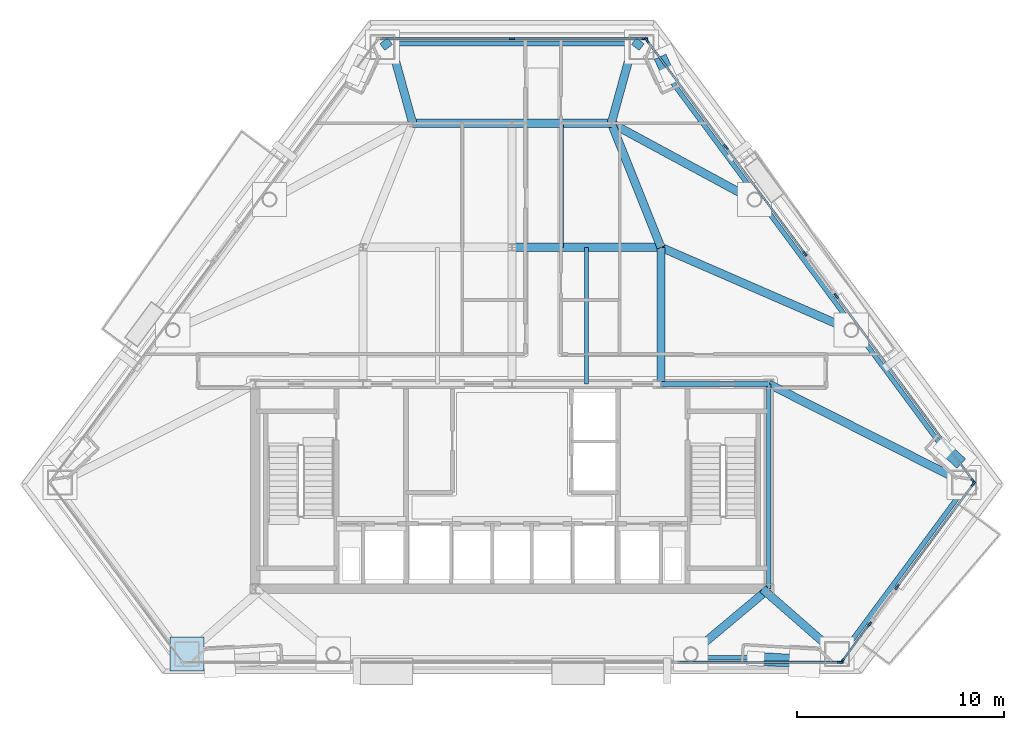
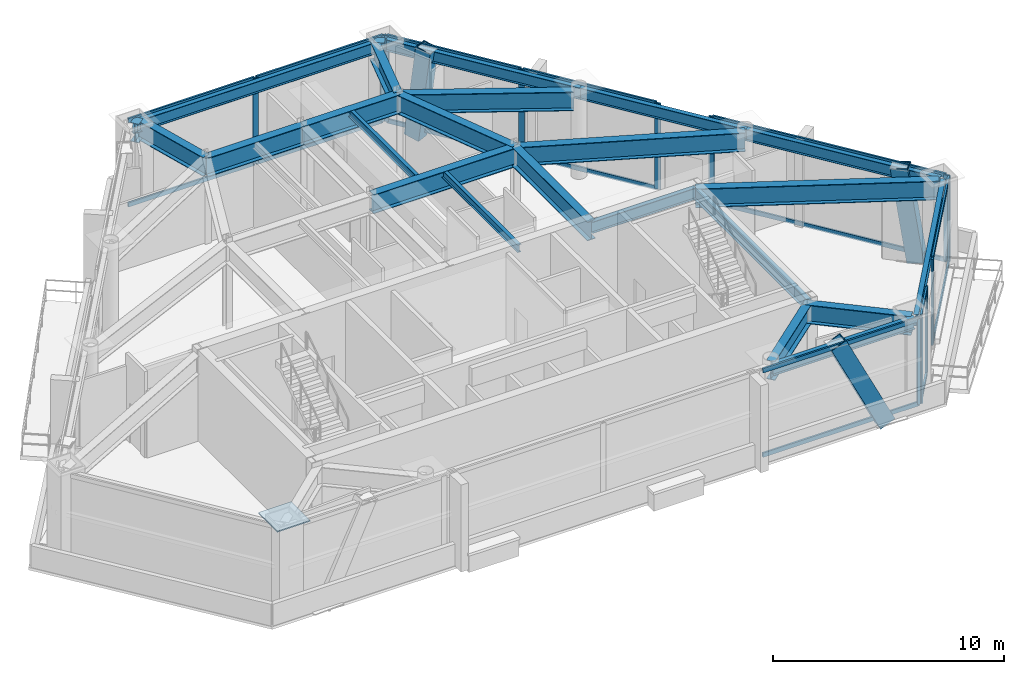
# One storey, part 3 of 9: 31 members, 24 beams, 1 plate, 6 elements without a shape of their own.
"""IFC4 building model written with IfcOpenShell, lengths in metres."""

from ifc_helpers import new_model, si_unit, direction, frame, origin, origin_2d, place, context, subcontext, project, spatial, rectangle, hollow_rectangle, i_section, extrude, material, layer, layer_set, material_profile, profile_set, type_object, element, aggregate, save


model = new_model("IFC4")

# Units and contexts
model_context = context("Model", 3, precision=1e-05, world=origin(), true_north=direction((0.0, 1.0)))
body_context = subcontext(model_context, "Body", "Model", "MODEL_VIEW")
ifc_project = project(units=[si_unit("LENGTHUNIT", "METRE"), si_unit("AREAUNIT", "SQUARE_METRE"), si_unit("VOLUMEUNIT", "CUBIC_METRE"), si_unit("PLANEANGLEUNIT", "RADIAN"), si_unit("MASSUNIT", "GRAM", prefix="KILO")], contexts=[model_context])

# Site, building, storey
site_placement = place(None, origin())
site = spatial("IfcSite", under=ifc_project, at=site_placement, CompositionType="ELEMENT")
building_placement = place(site_placement, origin())
building = spatial("IfcBuilding", under=site, at=building_placement, Name="Talgorran Terracotta Tower", CompositionType="ELEMENT")
storey_placement = place(building_placement, frame((0.0, 0.0, 94.800048828125)))
storey = spatial("IfcBuildingStorey", under=building, at=storey_placement, Name="L24", CompositionType="ELEMENT", Elevation=94.800048828125)

# Beams
ifc_material_1 = material(Name="Steel Grade 350 (350L0)", Category="steel")
ifc_material_profile_1 = material_profile(ifc_material_1, i_section(OverallWidth=0.39990234375, OverallDepth=1.0, WebThickness=0.01611328125, FlangeThickness=0.031005859375, at=origin_2d()), Name="1000WB296")
ifc_profile_set_1 = profile_set([ifc_material_profile_1], Name="Steel Grade 350 (350L0)")
beam_type_1 = type_object("IfcBeamType", Name="BM_1000WB296", PredefinedType="BEAM", material=ifc_profile_set_1)
beam_1_placement = place(storey_placement, frame((12.39990234375, -14.10009765625, 4.050048828125), z_axis=(-0.766584003148, -0.642144038451, 0.0), x_axis=(0.642144038451, -0.766584003148, 0.0)))
element("IfcBeam", 1, at=beam_1_placement, inside=storey, type_object=beam_type_1, Name="L24 South-East Core Tie Beam", PredefinedType="BEAM", context=body_context, shape_type="SweptSolid", body=[
    extrude(i_section(OverallWidth=0.39990234375, OverallDepth=1.0, WebThickness=0.01611328125, FlangeThickness=0.031005859375, at=origin_2d()), origin(), (0.0, 0.0, 1.0), 4.90869140625),
])
beam_2_placement = place(storey_placement, frame((15.70361328125, -17.252197265625, 4.050048828125), z_axis=(-0.752677772141, 0.658389072908, 0.0), x_axis=(-0.658389072908, -0.752677772141, 0.0)))
element("IfcBeam", 2, at=beam_2_placement, inside=storey, type_object=beam_type_1, Name="L24 Perimeter Step Girder 5", PredefinedType="BEAM", context=body_context, shape_type="SweptSolid", body=[
    extrude(i_section(OverallWidth=0.39990234375, OverallDepth=1.0, WebThickness=0.01611328125, FlangeThickness=0.031005859375, at=origin_2d()), origin(), (0.0, 0.0, 1.0), 4.78759765625),
])
beam_3_placement = place(storey_placement, frame((6.263671875, 12.074951171875, 4.050048828125), z_axis=(-0.792797208664, 0.609485509208, 0.0), x_axis=(-0.609485509208, -0.792797208664, 0.0)))
element("IfcBeam", 3, at=beam_3_placement, inside=storey, type_object=beam_type_1, Name="L24 Perimeter Step Girder 9A", PredefinedType="BEAM", context=body_context, shape_type="SweptSolid", body=[
    extrude(i_section(OverallWidth=0.39990234375, OverallDepth=1.0, WebThickness=0.01611328125, FlangeThickness=0.031005859375, at=origin_2d()), origin(), (0.0, 0.0, 1.0), 0.471435546875),
])
beam_4_placement = place(storey_placement, frame((5.889892578125, 12.3623046875, 4.050048828125), z_axis=(-0.265197906228, -0.964194000465, 0.0), x_axis=(0.964194000465, -0.265197906228, 0.0)))
element("IfcBeam", 4, at=beam_4_placement, inside=storey, type_object=beam_type_1, Name="L24 Perimeter Step Girder 9B", PredefinedType="BEAM", context=body_context, shape_type="SweptSolid", body=[
    extrude(i_section(OverallWidth=0.39990234375, OverallDepth=1.0, WebThickness=0.01611328125, FlangeThickness=0.031005859375, at=origin_2d()), origin(), (0.0, 0.0, 1.0), 4.109619140625),
])
beam_5_placement = place(storey_placement, frame((-6.263671875, 12.074951171875, 4.050048828125), z_axis=(0.792797208664, 0.609485509208, 0.0), x_axis=(-0.609485509208, 0.792797208664, 0.0)))
element("IfcBeam", 5, at=beam_5_placement, inside=storey, type_object=beam_type_1, Name="L24 Perimeter Step Girder 10A", PredefinedType="BEAM", context=body_context, shape_type="SweptSolid", body=[
    extrude(i_section(OverallWidth=0.39990234375, OverallDepth=1.0, WebThickness=0.01611328125, FlangeThickness=0.031005859375, at=origin_2d()), origin(), (0.0, 0.0, 1.0), 0.471435546875),
])
beam_6_placement = place(storey_placement, frame((-5.889892578125, 12.3623046875, 4.050048828125), z_axis=(0.265197906228, -0.964194000465, 0.0), x_axis=(0.964194000465, 0.265197906228, 0.0)))
element("IfcBeam", 6, at=beam_6_placement, inside=storey, type_object=beam_type_1, Name="L24 Perimeter Step Girder 10B", PredefinedType="BEAM", context=body_context, shape_type="SweptSolid", body=[
    extrude(i_section(OverallWidth=0.39990234375, OverallDepth=1.0, WebThickness=0.01611328125, FlangeThickness=0.031005859375, at=origin_2d()), origin(), (0.0, 0.0, 1.0), 4.109619140625),
])
beam_7_placement = place(storey_placement, frame((7.199951171875, -4.199951171875, 4.050048828125), z_axis=(0.0, 1.0, 0.0), x_axis=(-1.0, 0.0, 0.0)))
element("IfcBeam", 7, at=beam_7_placement, inside=storey, type_object=beam_type_1, Name="L24 Floor Girder G03", PredefinedType="BEAM", context=body_context, shape_type="SweptSolid", body=[
    extrude(i_section(OverallWidth=0.39990234375, OverallDepth=1.0, WebThickness=0.01611328125, FlangeThickness=0.031005859375, at=origin_2d()), origin(), (0.0, 0.0, 1.0), 6.599853515625),
])
beam_8_placement = place(storey_placement, frame((0.0, 2.39990234375, 4.050048828125), z_axis=(1.0, 0.0, 0.0), x_axis=(0.0, 1.0, 0.0)))
element("IfcBeam", 8, at=beam_8_placement, inside=storey, type_object=beam_type_1, Name="L24 Floor Girder G05", PredefinedType="BEAM", context=body_context, shape_type="SweptSolid", body=[
    extrude(i_section(OverallWidth=0.39990234375, OverallDepth=1.0, WebThickness=0.01611328125, FlangeThickness=0.031005859375, at=origin_2d()), origin(), (0.0, 0.0, 1.0), 7.199951171875),
])
beam_9_placement = place(storey_placement, frame((7.199951171875, 2.39990234375, 4.050048828125), z_axis=(0.916970505707, -0.398954999548, 0.0), x_axis=(0.398954999548, 0.916970505707, 0.0)))
element("IfcBeam", 9, at=beam_9_placement, inside=storey, type_object=beam_type_1, Name="L24 Floor Girder G07", PredefinedType="BEAM", context=body_context, shape_type="SweptSolid", body=[
    extrude(i_section(OverallWidth=0.39990234375, OverallDepth=1.0, WebThickness=0.01611328125, FlangeThickness=0.031005859375, at=origin_2d()), origin(), (0.0, 0.0, 1.0), 10.023193359375),
])
beam_10_placement = place(storey_placement, frame((7.199951171875, 2.39990234375, 4.050048828125), z_axis=(-0.371377648723, 0.928481901832, 0.0), x_axis=(-0.928481901832, -0.371377648723, 0.0)))
element("IfcBeam", 10, at=beam_10_placement, inside=storey, type_object=beam_type_1, Name="L24 Floor Girder G10", PredefinedType="BEAM", context=body_context, shape_type="SweptSolid", body=[
    extrude(i_section(OverallWidth=0.39990234375, OverallDepth=1.0, WebThickness=0.01611328125, FlangeThickness=0.031005859375, at=origin_2d()), origin(), (0.0, 0.0, 1.0), 6.462158203125),
])
for number, where, z_axis, x_axis, name in (
    (11, (-4.800048828125, 8.39990234375, 4.050048828125), (1.0, 0.0, 0.0), (0.0, 1.0, 0.0), "L24 Floor Girder G11"),
    (12, (0.0, 8.39990234375, 4.050048828125), (1.0, 0.0, 0.0), (0.0, 1.0, 0.0), "L24 Floor Girder G12"),
):
    element("IfcBeam", number, at=place(storey_placement, frame(where, z_axis=z_axis, x_axis=x_axis)), inside=storey, type_object=beam_type_1, Name=name, PredefinedType="BEAM", context=body_context, shape_type="SweptSolid", body=[
        extrude(i_section(OverallWidth=0.39990234375, OverallDepth=1.0, WebThickness=0.01611328125, FlangeThickness=0.031005859375, at=origin_2d()), origin(), (0.0, 0.0, 1.0), 4.800048828125),
    ])
beam_11_placement = place(storey_placement, frame((4.800048828125, 8.39990234375, 4.050048828125), z_axis=(0.879686234895, -0.475554548013, 0.0), x_axis=(0.475554548013, 0.879686234895, 0.0)))
element("IfcBeam", 13, at=beam_11_placement, inside=storey, type_object=beam_type_1, Name="L24 Floor Girder G14", PredefinedType="BEAM", context=body_context, shape_type="SweptSolid", body=[
    extrude(i_section(OverallWidth=0.39990234375, OverallDepth=1.0, WebThickness=0.01611328125, FlangeThickness=0.031005859375, at=origin_2d()), origin(), (0.0, 0.0, 1.0), 7.62255859375),
])
beam_12_placement = place(storey_placement, frame((12.39990234375, -4.199951171875, 4.050048828125), z_axis=(0.892931038068, -0.450193470916, 0.0), x_axis=(0.450193470916, 0.892931038068, 0.0)))
element("IfcBeam", 14, at=beam_12_placement, inside=storey, type_object=beam_type_1, Name="L24 Floor Girder G18", PredefinedType="BEAM", context=body_context, shape_type="SweptSolid", body=[
    extrude(i_section(OverallWidth=0.39990234375, OverallDepth=1.0, WebThickness=0.01611328125, FlangeThickness=0.031005859375, at=origin_2d()), origin(), (0.0, 0.0, 1.0), 10.576416015625),
])
ifc_material_2 = material(Name="Steel S355 (300PLUS)", Category="steel")
ifc_material_profile_2 = material_profile(ifc_material_2, i_section(OverallWidth=0.177734375, OverallDepth=0.406494140625, WebThickness=0.0078125, FlangeThickness=0.0126953125, at=origin_2d()), Name="410UB59.7")
ifc_profile_set_2 = profile_set([ifc_material_profile_2], Name="Steel S355 (300PLUS)")
beam_type_2 = type_object("IfcBeamType", Name="BM_JS_410UB60", PredefinedType="JOIST", material=ifc_profile_set_2)
beam_13_placement = place(storey_placement, frame((3.60009765625, -4.199951171875, 4.3466796875), z_axis=(0.0, 1.0, 0.0), x_axis=(-1.0, 0.0, 0.0)))
element("IfcBeam", 15, at=beam_13_placement, inside=storey, type_object=beam_type_2, Name="L24 Secondary Joist J02", PredefinedType="JOIST", context=body_context, shape_type="SweptSolid", body=[
    extrude(i_section(OverallWidth=0.177734375, OverallDepth=0.406494140625, WebThickness=0.0078125, FlangeThickness=0.0126953125, at=origin_2d()), origin(), (0.0, 0.0, 1.0), 6.599853515625),
])
beam_14_placement = place(storey_placement, frame((2.39990234375, 2.39990234375, 4.3466796875), z_axis=(0.0, 1.0, 0.0), x_axis=(-1.0, 0.0, 0.0)))
element("IfcBeam", 16, at=beam_14_placement, inside=storey, type_object=beam_type_2, Name="L24 Secondary Joist J04", PredefinedType="JOIST", context=body_context, shape_type="SweptSolid", body=[
    extrude(i_section(OverallWidth=0.177734375, OverallDepth=0.406494140625, WebThickness=0.0078125, FlangeThickness=0.0126953125, at=origin_2d()), origin(), (0.0, 0.0, 1.0), 6.0),
])
ifc_material_profile_3 = material_profile(ifc_material_2, i_section(OverallWidth=0.22900390625, OverallDepth=0.611572265625, WebThickness=0.011962890625, FlangeThickness=0.01953125, at=origin_2d()), Name="610UB125")
ifc_profile_set_3 = profile_set([ifc_material_profile_3], Name="Steel S355 (300PLUS)")
beam_type_3 = type_object("IfcBeamType", Name="BM_SP_610UB125", PredefinedType="SPANDREL", material=ifc_profile_set_3)
beam_15_placement = place(storey_placement, frame((8.636962890625, -17.43212890625, 4.244140625), z_axis=(1.0, 0.0, 0.0), x_axis=(0.0, 1.0, 0.0)))
element("IfcBeam", 17, at=beam_15_placement, inside=storey, type_object=beam_type_3, Name="L24 Perimeter Spandrel Beam FC2-MC3", PredefinedType="SPANDREL", context=body_context, shape_type="SweptSolid", body=[
    extrude(i_section(OverallWidth=0.22900390625, OverallDepth=0.611572265625, WebThickness=0.011962890625, FlangeThickness=0.01953125, at=origin_2d()), origin(), (0.0, 0.0, 1.0), 7.066650390625),
])
beam_16_placement = place(storey_placement, frame((15.84814453125, -17.359375, 4.244140625), z_axis=(0.595169259298, 0.803600368832, 0.0), x_axis=(-0.803600368832, 0.595169259298, 0.0)))
element("IfcBeam", 18, at=beam_16_placement, inside=storey, type_object=beam_type_3, Name="L24 Perimeter Spandrel Beam MC3-MC4", PredefinedType="SPANDREL", context=body_context, shape_type="SweptSolid", body=[
    extrude(i_section(OverallWidth=0.22900390625, OverallDepth=0.611572265625, WebThickness=0.011962890625, FlangeThickness=0.01953125, at=origin_2d()), origin(), (0.0, 0.0, 1.0), 10.317138671875),
])
beam_17_placement = place(storey_placement, frame((21.988525390625, -8.8544921875, 4.244140625), z_axis=(-0.595171471605, 0.80359873033, 0.0), x_axis=(-0.80359873033, -0.595171471605, 0.0)))
element("IfcBeam", 19, at=beam_17_placement, inside=storey, type_object=beam_type_3, Name="L24 Perimeter Spandrel Beam MC4-FC3", PredefinedType="SPANDREL", context=body_context, shape_type="SweptSolid", body=[
    extrude(i_section(OverallWidth=0.22900390625, OverallDepth=0.611572265625, WebThickness=0.011962890625, FlangeThickness=0.01953125, at=origin_2d()), origin(), (0.0, 0.0, 1.0), 9.162353515625),
])
beam_18_placement = place(storey_placement, frame((16.535400390625, -1.49169921875, 4.244140625), z_axis=(-0.595164355593, 0.803604000632, 0.0), x_axis=(-0.803604000632, -0.595164355593, 0.0)))
element("IfcBeam", 20, at=beam_18_placement, inside=storey, type_object=beam_type_3, Name="L24 Perimeter Spandrel Beam FC3-FC4", PredefinedType="SPANDREL", context=body_context, shape_type="SweptSolid", body=[
    extrude(i_section(OverallWidth=0.22900390625, OverallDepth=0.611572265625, WebThickness=0.011962890625, FlangeThickness=0.01953125, at=origin_2d()), origin(), (0.0, 0.0, 1.0), 7.853515625),
])
beam_19_placement = place(storey_placement, frame((11.861328125, 4.8193359375, 4.244140625), z_axis=(-0.595184216163, 0.803589291137, 0.0), x_axis=(-0.803589291137, -0.595184216163, 0.0)))
element("IfcBeam", 21, at=beam_19_placement, inside=storey, type_object=beam_type_3, Name="L24 Perimeter Spandrel Beam FC4-MC5", PredefinedType="SPANDREL", context=body_context, shape_type="SweptSolid", body=[
    extrude(i_section(OverallWidth=0.22900390625, OverallDepth=0.611572265625, WebThickness=0.011962890625, FlangeThickness=0.01953125, at=origin_2d()), origin(), (0.0, 0.0, 1.0), 9.162109375),
])
beam_20_placement = place(storey_placement, frame((6.263671875, 12.2548828125, 4.244140625), z_axis=(-1.0, 0.0, 0.0), x_axis=(0.0, -1.0, 0.0)))
element("IfcBeam", 22, at=beam_20_placement, inside=storey, type_object=beam_type_3, Name="L24 Perimeter Spandrel Beam MC5-MC6", PredefinedType="SPANDREL", context=body_context, shape_type="SweptSolid", body=[
    extrude(i_section(OverallWidth=0.22900390625, OverallDepth=0.611572265625, WebThickness=0.011962890625, FlangeThickness=0.01953125, at=origin_2d()), origin(), (0.0, 0.0, 1.0), 12.52734375),
])
beam_21_placement = place(storey_placement, frame((12.39990234375, -14.10009765625, 4.244140625), z_axis=(0.0, 1.0, 0.0), x_axis=(-1.0, 0.0, 0.0)))
element("IfcBeam", 23, at=beam_21_placement, inside=storey, type_object=beam_type_3, Name="L24 Core Frame Beam CFE", PredefinedType="SPANDREL", context=body_context, shape_type="SweptSolid", body=[
    extrude(i_section(OverallWidth=0.22900390625, OverallDepth=0.611572265625, WebThickness=0.011962890625, FlangeThickness=0.01953125, at=origin_2d()), origin(), (0.0, 0.0, 1.0), 9.900146484375),
])
beam_22_placement = place(storey_placement, frame((7.199951171875, -4.199951171875, 4.244140625), z_axis=(1.0, 0.0, 0.0), x_axis=(0.0, 1.0, 0.0)))
element("IfcBeam", 24, at=beam_22_placement, inside=storey, type_object=beam_type_3, Name="L24 Core Frame Beam CFN4", PredefinedType="SPANDREL", context=body_context, shape_type="SweptSolid", body=[
    extrude(i_section(OverallWidth=0.22900390625, OverallDepth=0.611572265625, WebThickness=0.011962890625, FlangeThickness=0.01953125, at=origin_2d()), origin(), (0.0, 0.0, 1.0), 5.199951171875),
])

# Members
ifc_material_profile_4 = material_profile(ifc_material_1, hollow_rectangle(XDim=0.6201171875, YDim=0.780029296875, WallThickness=0.0419921875, at=origin_2d()), Name="WBOX780X620X42")
ifc_profile_set_4 = profile_set([ifc_material_profile_4], Name="Steel Grade 350 (350L0)")
member_type_1 = type_object("IfcMemberType", Name="MB_MEGA_780", PredefinedType="BRACE", material=ifc_profile_set_4)
member_1_placement = place(storey_placement, frame((14.1376953125, -17.6123046875, -0.300048828125), z_axis=(-0.436575822921, 0.026661118957, 0.899272336713), x_axis=(-0.060955145421, -0.998140506265, 0.0)))
element("IfcMember", 25, at=member_1_placement, inside=storey, type_object=member_type_1, Name="L24 Exterior Face Mega-Brace MB-2 (SEF)", PredefinedType="BRACE", context=body_context, shape_type="SweptSolid", body=[
    extrude(hollow_rectangle(XDim=0.6201171875, YDim=0.780029296875, WallThickness=0.0419921875, at=origin_2d()), origin(), (0.0, 0.0, 1.0), 5.421142578125),
])
member_2_placement = place(storey_placement, frame((21.42041015625, -7.78466796875, -0.300048828125), z_axis=(-0.109299082594, 0.100731460805, 0.98889174501), x_axis=(-0.677698679324, -0.735339717438, 0.0)))
element("IfcMember", 26, at=member_2_placement, inside=storey, type_object=member_type_1, Name="L24 Exterior Face Mega-Brace MB-2 (NEL)", PredefinedType="BRACE", context=body_context, shape_type="SweptSolid", body=[
    extrude(hollow_rectangle(XDim=0.6201171875, YDim=0.780029296875, WallThickness=0.0419921875, at=origin_2d()), origin(), (0.0, 0.0, 1.0), 4.9296875),
])
member_3_placement = place(storey_placement, frame((7.316650390625, 11.258056640625, -0.300048828125), z_axis=(0.051967048146, -0.114665341416, 0.992043993674), x_axis=(0.910825426635, 0.412791766144, 0.0)))
element("IfcMember", 27, at=member_3_placement, inside=storey, type_object=member_type_1, Name="L24 Exterior Face Mega-Brace MB-2 (NEU)", PredefinedType="BRACE", context=body_context, shape_type="SweptSolid", body=[
    extrude(hollow_rectangle(XDim=0.6201171875, YDim=0.780029296875, WallThickness=0.0419921875, at=origin_2d()), origin(), (0.0, 0.0, 1.0), 4.9140625),
])

# Curtain wall, member
ifc_material_3 = material(Name="Structural Laminated Low-Iron")
ifc_layer_1 = layer(ifc_material_3, 0.239990234375, Name="CW_SYS5_SKY_OBS")
ifc_layer_set_1 = layer_set([ifc_layer_1], Name="Structural Laminated Low-Iron")
curtain_wall_type = type_object("IfcCurtainWallType", Name="CW_SYS5_SKY_OBS", PredefinedType="NOTDEFINED", material=ifc_layer_set_1)
curtain_wall_1_placement = place(storey_placement, origin())
curtain_wall_1 = element("IfcCurtainWall", 28, at=curtain_wall_1_placement, inside=storey, type_object=curtain_wall_type, Name="CW-L24-F1", PredefinedType="NOTDEFINED")
ifc_material_4 = material(Name="Architectural Aluminium 6063-T6", Category="aluminium")
ifc_material_profile_5 = material_profile(ifc_material_4, rectangle(XDim=0.090087890625, YDim=0.280029296875, at=origin_2d()), Name="CWM90X280")
ifc_profile_set_5 = profile_set([ifc_material_profile_5], Name="Architectural Aluminium 6063-T6")
member_type_2 = type_object("IfcMemberType", Name="MUL_90X280", PredefinedType="MULLION", material=ifc_profile_set_5)
member_4_placement = place(storey_placement, frame((15.860107421875, -17.652099609375, 0.0), z_axis=(0.0, 0.0, 1.0), x_axis=(0.0, 1.0, 0.0)))
member_4 = element("IfcMember", 29, at=member_4_placement, type_object=member_type_2, Name="CW-L24-1 mullion 5", PredefinedType="MULLION", context=body_context, shape_type="SweptSolid", body=[
    extrude(rectangle(XDim=0.090087890625, YDim=0.280029296875, at=origin_2d()), origin(), (0.0, 0.0, 1.0), 4.550048828125),
])

# Curtain wall, members
curtain_wall_2_placement = place(storey_placement, origin())
curtain_wall_2 = element("IfcCurtainWall", 30, at=curtain_wall_2_placement, inside=storey, type_object=curtain_wall_type, Name="CW-L24-F30", PredefinedType="NOTDEFINED")
member_5_placement = place(storey_placement, frame((15.95556640625, -17.583984375, 0.0), z_axis=(0.0, 0.0, 1.0), x_axis=(-0.803604490595, 0.595163694034, 0.0)))
member_5 = element("IfcMember", 31, at=member_5_placement, type_object=member_type_2, Name="CW-L24-30 mullion 1", PredefinedType="MULLION", context=body_context, shape_type="SweptSolid", body=[
    extrude(rectangle(XDim=0.090087890625, YDim=0.280029296875, at=origin_2d()), origin(), (0.0, 0.0, 1.0), 4.550048828125),
])
member_6_placement = place(storey_placement, frame((17.26171875, -15.8203125, 0.0), z_axis=(0.0, 0.0, 1.0), x_axis=(-0.803604490595, 0.595163694034, 0.0)))
member_6 = element("IfcMember", 32, at=member_6_placement, type_object=member_type_2, Name="CW-L24-30 mullion 2", PredefinedType="MULLION", context=body_context, shape_type="SweptSolid", body=[
    extrude(rectangle(XDim=0.090087890625, YDim=0.280029296875, at=origin_2d()), origin(), (0.0, 0.0, 1.0), 4.550048828125),
])

curtain_wall_3_placement = place(storey_placement, origin())
curtain_wall_3 = element("IfcCurtainWall", 33, at=curtain_wall_3_placement, inside=storey, type_object=curtain_wall_type, Name="CW-L24-F31", PredefinedType="NOTDEFINED")
member_7_placement = place(storey_placement, frame((18.60107421875, -14.012451171875, 0.0), z_axis=(0.0, 0.0, 1.0), x_axis=(-0.803600560712, 0.595169000221, 0.0)))
member_7 = element("IfcMember", 34, at=member_7_placement, type_object=member_type_2, Name="CW-L24-31 mullion 1", PredefinedType="MULLION", context=body_context, shape_type="SweptSolid", body=[
    extrude(rectangle(XDim=0.090087890625, YDim=0.280029296875, at=origin_2d()), origin(), (0.0, 0.0, 1.0), 4.550048828125),
])
member_8_placement = place(storey_placement, frame((22.291259765625, -9.02978515625, 0.0), z_axis=(0.0, 0.0, 1.0), x_axis=(-0.803600560712, 0.595169000221, 0.0)))
member_8 = element("IfcMember", 35, at=member_8_placement, type_object=member_type_2, Name="CW-L24-31 mullion 2", PredefinedType="MULLION", context=body_context, shape_type="SweptSolid", body=[
    extrude(rectangle(XDim=0.090087890625, YDim=0.280029296875, at=origin_2d()), origin(), (0.0, 0.0, 1.0), 4.550048828125),
])

curtain_wall_4_placement = place(storey_placement, origin())
curtain_wall_4 = element("IfcCurtainWall", 36, at=curtain_wall_4_placement, inside=storey, type_object=curtain_wall_type, Name="CW-L24-F40", PredefinedType="NOTDEFINED")
member_9_placement = place(storey_placement, frame((22.291259765625, -8.893310546875, 0.0), z_axis=(0.0, 0.0, 1.0), x_axis=(-0.803596679917, -0.595174240056, 0.0)))
member_9 = element("IfcMember", 37, at=member_9_placement, type_object=member_type_2, Name="CW-L24-40 mullion 1", PredefinedType="MULLION", context=body_context, shape_type="SweptSolid", body=[
    extrude(rectangle(XDim=0.090087890625, YDim=0.280029296875, at=origin_2d()), origin(), (0.0, 0.0, 1.0), 4.550048828125),
])
member_10_placement = place(storey_placement, frame((15.669677734375, 0.046875, 0.0), z_axis=(0.0, 0.0, 1.0), x_axis=(-0.803596679917, -0.595174240056, 0.0)))
member_10 = element("IfcMember", 38, at=member_10_placement, type_object=member_type_2, Name="CW-L24-40 mullion 2", PredefinedType="MULLION", context=body_context, shape_type="SweptSolid", body=[
    extrude(rectangle(XDim=0.090087890625, YDim=0.280029296875, at=origin_2d()), origin(), (0.0, 0.0, 1.0), 4.550048828125),
])

curtain_wall_5_placement = place(storey_placement, origin())
curtain_wall_5 = element("IfcCurtainWall", 39, at=curtain_wall_5_placement, inside=storey, type_object=curtain_wall_type, Name="CW-L24-F41", PredefinedType="NOTDEFINED")
member_11_placement = place(storey_placement, frame((14.152099609375, 2.09619140625, 0.0), z_axis=(0.0, 0.0, 1.0), x_axis=(-0.803596541293, -0.595174427225, 0.0)))
member_11 = element("IfcMember", 40, at=member_11_placement, type_object=member_type_2, Name="CW-L24-41 mullion 1", PredefinedType="MULLION", context=body_context, shape_type="SweptSolid", body=[
    extrude(rectangle(XDim=0.090087890625, YDim=0.280029296875, at=origin_2d()), origin(), (0.0, 0.0, 1.0), 4.550048828125),
])
member_12_placement = place(storey_placement, frame((10.333740234375, 7.25146484375, 0.0), z_axis=(0.0, 0.0, 1.0), x_axis=(-0.803596541293, -0.595174427225, 0.0)))
member_12 = element("IfcMember", 41, at=member_12_placement, type_object=member_type_2, Name="CW-L24-41 mullion 2", PredefinedType="MULLION", context=body_context, shape_type="SweptSolid", body=[
    extrude(rectangle(XDim=0.090087890625, YDim=0.280029296875, at=origin_2d()), origin(), (0.0, 0.0, 1.0), 4.550048828125),
])
member_13_placement = place(storey_placement, frame((6.515625, 12.40673828125, 0.0), z_axis=(0.0, 0.0, 1.0), x_axis=(-0.803596541293, -0.595174427225, 0.0)))
member_13 = element("IfcMember", 42, at=member_13_placement, type_object=member_type_2, Name="CW-L24-41 mullion 3", PredefinedType="MULLION", context=body_context, shape_type="SweptSolid", body=[
    extrude(rectangle(XDim=0.090087890625, YDim=0.280029296875, at=origin_2d()), origin(), (0.0, 0.0, 1.0), 4.550048828125),
])

curtain_wall_6_placement = place(storey_placement, origin())
curtain_wall_6 = element("IfcCurtainWall", 43, at=curtain_wall_6_placement, inside=storey, type_object=curtain_wall_type, Name="CW-L24-F4", PredefinedType="NOTDEFINED")
member_14_placement = place(storey_placement, frame((6.420166015625, 12.474853515625, 0.0), z_axis=(0.0, 0.0, 1.0), x_axis=(0.0, -1.0, 0.0)))
member_14 = element("IfcMember", 44, at=member_14_placement, type_object=member_type_2, Name="CW-L24-4 mullion 1", PredefinedType="MULLION", context=body_context, shape_type="SweptSolid", body=[
    extrude(rectangle(XDim=0.090087890625, YDim=0.280029296875, at=origin_2d()), origin(), (0.0, 0.0, 1.0), 4.550048828125),
])
member_15_placement = place(storey_placement, frame((0.0, 12.474853515625, 0.0), z_axis=(0.0, 0.0, 1.0), x_axis=(0.0, -1.0, 0.0)))
member_15 = element("IfcMember", 45, at=member_15_placement, type_object=member_type_2, Name="CW-L24-4 mullion 2", PredefinedType="MULLION", context=body_context, shape_type="SweptSolid", body=[
    extrude(rectangle(XDim=0.090087890625, YDim=0.280029296875, at=origin_2d()), origin(), (0.0, 0.0, 1.0), 4.550048828125),
])

# Member
ifc_material_profile_6 = material_profile(ifc_material_4, rectangle(XDim=0.090087890625, YDim=0.22509765625, at=origin_2d()), Name="CWT90X225")
ifc_profile_set_6 = profile_set([ifc_material_profile_6], Name="Architectural Aluminium 6063-T6")
member_type_3 = type_object("IfcMemberType", Name="TRN_90X225", PredefinedType="USERDEFINED", material=ifc_profile_set_6)
member_16_placement = place(storey_placement, frame((7.99755859375, -17.652099609375, 0.044921875), z_axis=(1.0, 0.0, 0.0), x_axis=(0.0, 1.0, 0.0)))
member_16 = element("IfcMember", 46, at=member_16_placement, type_object=member_type_3, Name="CW-L24-1 transom 4.1", ObjectType="TRANSOM", PredefinedType="USERDEFINED", context=body_context, shape_type="SweptSolid", body=[
    extrude(rectangle(XDim=0.090087890625, YDim=0.22509765625, at=origin_2d()), origin(), (0.0, 0.0, 1.0), 7.817626953125),
])

member_17_placement = place(storey_placement, frame((7.99755859375, -17.652099609375, 4.5048828125), z_axis=(1.0, 0.0, 0.0), x_axis=(0.0, 1.0, 0.0)))
member_17 = element("IfcMember", 47, at=member_17_placement, type_object=member_type_3, Name="CW-L24-1 transom 4.2", ObjectType="TRANSOM", PredefinedType="USERDEFINED", context=body_context, shape_type="SweptSolid", body=[
    extrude(rectangle(XDim=0.090087890625, YDim=0.22509765625, at=origin_2d()), origin(), (0.0, 0.0, 1.0), 7.817626953125),
])

aggregate(curtain_wall_1, [member_4, member_16, member_17])

member_18_placement = place(storey_placement, frame((15.982421875, -17.5478515625, 0.044921875), z_axis=(0.59516374707, 0.803604451315, 0.0), x_axis=(-0.803604451315, 0.59516374707, 0.0)))
member_18 = element("IfcMember", 48, at=member_18_placement, type_object=member_type_3, Name="CW-L24-30 transom 1.1", ObjectType="TRANSOM", PredefinedType="USERDEFINED", context=body_context, shape_type="SweptSolid", body=[
    extrude(rectangle(XDim=0.090087890625, YDim=0.22509765625, at=origin_2d()), origin(), (0.0, 0.0, 1.0), 2.104736328125),
])

member_19_placement = place(storey_placement, frame((15.982421875, -17.5478515625, 4.5048828125), z_axis=(0.59516374707, 0.803604451315, 0.0), x_axis=(-0.803604451315, 0.59516374707, 0.0)))
member_19 = element("IfcMember", 49, at=member_19_placement, type_object=member_type_3, Name="CW-L24-30 transom 1.2", ObjectType="TRANSOM", PredefinedType="USERDEFINED", context=body_context, shape_type="SweptSolid", body=[
    extrude(rectangle(XDim=0.090087890625, YDim=0.22509765625, at=origin_2d()), origin(), (0.0, 0.0, 1.0), 2.104736328125),
])

aggregate(curtain_wall_2, [member_5, member_6, member_18, member_19])

member_20_placement = place(storey_placement, frame((18.627685546875, -13.97607421875, 0.044921875), z_axis=(0.595181683647, 0.803591166857, 0.0), x_axis=(-0.803591166857, 0.595181683647, 0.0)))
member_20 = element("IfcMember", 50, at=member_20_placement, type_object=member_type_3, Name="CW-L24-31 transom 1.1", ObjectType="TRANSOM", PredefinedType="USERDEFINED", context=body_context, shape_type="SweptSolid", body=[
    extrude(rectangle(XDim=0.090087890625, YDim=0.22509765625, at=origin_2d()), origin(), (0.0, 0.0, 1.0), 6.1103515625),
])

member_21_placement = place(storey_placement, frame((18.627685546875, -13.97607421875, 4.5048828125), z_axis=(0.595181683647, 0.803591166857, 0.0), x_axis=(-0.803591166857, 0.595181683647, 0.0)))
member_21 = element("IfcMember", 51, at=member_21_placement, type_object=member_type_3, Name="CW-L24-31 transom 1.2", ObjectType="TRANSOM", PredefinedType="USERDEFINED", context=body_context, shape_type="SweptSolid", body=[
    extrude(rectangle(XDim=0.090087890625, YDim=0.22509765625, at=origin_2d()), origin(), (0.0, 0.0, 1.0), 6.1103515625),
])

aggregate(curtain_wall_3, [member_7, member_8, member_20, member_21])

member_22_placement = place(storey_placement, frame((22.264404296875, -8.857177734375, 0.044921875), z_axis=(-0.59517146592, 0.80359873454, 0.0), x_axis=(-0.80359873454, -0.59517146592, 0.0)))
member_22 = element("IfcMember", 52, at=member_22_placement, type_object=member_type_3, Name="CW-L24-40 transom 1.1", ObjectType="TRANSOM", PredefinedType="USERDEFINED", context=body_context, shape_type="SweptSolid", body=[
    extrude(rectangle(XDim=0.090087890625, YDim=0.22509765625, at=origin_2d()), origin(), (0.0, 0.0, 1.0), 11.03515625),
])

member_23_placement = place(storey_placement, frame((22.264404296875, -8.857177734375, 4.5048828125), z_axis=(-0.59517146592, 0.80359873454, 0.0), x_axis=(-0.80359873454, -0.59517146592, 0.0)))
member_23 = element("IfcMember", 53, at=member_23_placement, type_object=member_type_3, Name="CW-L24-40 transom 1.2", ObjectType="TRANSOM", PredefinedType="USERDEFINED", context=body_context, shape_type="SweptSolid", body=[
    extrude(rectangle(XDim=0.090087890625, YDim=0.22509765625, at=origin_2d()), origin(), (0.0, 0.0, 1.0), 11.03515625),
])

aggregate(curtain_wall_4, [member_9, member_10, member_22, member_23])

member_24_placement = place(storey_placement, frame((14.125244140625, 2.13232421875, 0.044921875), z_axis=(-0.595172165851, 0.803598216148, 0.0), x_axis=(-0.803598216148, -0.595172165851, 0.0)))
member_24 = element("IfcMember", 54, at=member_24_placement, type_object=member_type_3, Name="CW-L24-41 transom 1.1", ObjectType="TRANSOM", PredefinedType="USERDEFINED", context=body_context, shape_type="SweptSolid", body=[
    extrude(rectangle(XDim=0.090087890625, YDim=0.22509765625, at=origin_2d()), origin(), (0.0, 0.0, 1.0), 6.3251953125),
])

member_25_placement = place(storey_placement, frame((14.125244140625, 2.13232421875, 4.5048828125), z_axis=(-0.595172165851, 0.803598216148, 0.0), x_axis=(-0.803598216148, -0.595172165851, 0.0)))
member_25 = element("IfcMember", 55, at=member_25_placement, type_object=member_type_3, Name="CW-L24-41 transom 1.2", ObjectType="TRANSOM", PredefinedType="USERDEFINED", context=body_context, shape_type="SweptSolid", body=[
    extrude(rectangle(XDim=0.090087890625, YDim=0.22509765625, at=origin_2d()), origin(), (0.0, 0.0, 1.0), 6.3251953125),
])

member_26_placement = place(storey_placement, frame((10.30712890625, 7.28759765625, 0.044921875), z_axis=(-0.595190626611, 0.803584543153, 0.0), x_axis=(-0.803584543153, -0.595190626611, 0.0)))
member_26 = element("IfcMember", 56, at=member_26_placement, type_object=member_type_3, Name="CW-L24-41 transom 2.1", ObjectType="TRANSOM", PredefinedType="USERDEFINED", context=body_context, shape_type="SweptSolid", body=[
    extrude(rectangle(XDim=0.090087890625, YDim=0.22509765625, at=origin_2d()), origin(), (0.0, 0.0, 1.0), 6.3251953125),
])

member_27_placement = place(storey_placement, frame((10.30712890625, 7.28759765625, 4.5048828125), z_axis=(-0.595190626611, 0.803584543153, 0.0), x_axis=(-0.803584543153, -0.595190626611, 0.0)))
member_27 = element("IfcMember", 57, at=member_27_placement, type_object=member_type_3, Name="CW-L24-41 transom 2.2", ObjectType="TRANSOM", PredefinedType="USERDEFINED", context=body_context, shape_type="SweptSolid", body=[
    extrude(rectangle(XDim=0.090087890625, YDim=0.22509765625, at=origin_2d()), origin(), (0.0, 0.0, 1.0), 6.3251953125),
])

aggregate(curtain_wall_5, [member_11, member_12, member_13, member_24, member_25, member_26, member_27])

member_28_placement = place(storey_placement, frame((6.375, 12.474853515625, 0.044921875), z_axis=(-1.0, 0.0, 0.0), x_axis=(0.0, -1.0, 0.0)))
member_28 = element("IfcMember", 58, at=member_28_placement, type_object=member_type_3, Name="CW-L24-4 transom 1.1", ObjectType="TRANSOM", PredefinedType="USERDEFINED", context=body_context, shape_type="SweptSolid", body=[
    extrude(rectangle(XDim=0.090087890625, YDim=0.22509765625, at=origin_2d()), origin(), (0.0, 0.0, 1.0), 6.330078125),
])

member_29_placement = place(storey_placement, frame((6.375, 12.474853515625, 4.5048828125), z_axis=(-1.0, 0.0, 0.0), x_axis=(0.0, -1.0, 0.0)))
member_29 = element("IfcMember", 59, at=member_29_placement, type_object=member_type_3, Name="CW-L24-4 transom 1.2", ObjectType="TRANSOM", PredefinedType="USERDEFINED", context=body_context, shape_type="SweptSolid", body=[
    extrude(rectangle(XDim=0.090087890625, YDim=0.22509765625, at=origin_2d()), origin(), (0.0, 0.0, 1.0), 6.330078125),
])

member_30_placement = place(storey_placement, frame((-0.044921875, 12.474853515625, 0.044921875), z_axis=(-1.0, 0.0, 0.0), x_axis=(0.0, -1.0, 0.0)))
member_30 = element("IfcMember", 60, at=member_30_placement, type_object=member_type_3, Name="CW-L24-4 transom 2.1", ObjectType="TRANSOM", PredefinedType="USERDEFINED", context=body_context, shape_type="SweptSolid", body=[
    extrude(rectangle(XDim=0.090087890625, YDim=0.22509765625, at=origin_2d()), origin(), (0.0, 0.0, 1.0), 6.330078125),
])

member_31_placement = place(storey_placement, frame((-0.044921875, 12.474853515625, 4.5048828125), z_axis=(-1.0, 0.0, 0.0), x_axis=(0.0, -1.0, 0.0)))
member_31 = element("IfcMember", 61, at=member_31_placement, type_object=member_type_3, Name="CW-L24-4 transom 2.2", ObjectType="TRANSOM", PredefinedType="USERDEFINED", context=body_context, shape_type="SweptSolid", body=[
    extrude(rectangle(XDim=0.090087890625, YDim=0.22509765625, at=origin_2d()), origin(), (0.0, 0.0, 1.0), 6.330078125),
])

aggregate(curtain_wall_6, [member_14, member_15, member_28, member_29, member_30, member_31])

# Plate
ifc_layer_2 = layer(ifc_material_1, 0.06005859375, Name="PL_NODE_MN01")
ifc_layer_set_2 = layer_set([ifc_layer_2], Name="Steel Grade 350 (350L0)")
plate_type = type_object("IfcPlateType", Name="PL_NODE_MN01", PredefinedType="USERDEFINED", material=ifc_layer_set_2)
plate_placement = place(storey_placement, frame((-15.70361328125, -17.252197265625, 4.784912109375), z_axis=(0.0, 0.0, 1.0), x_axis=(1.0, 0.0, 0.0)))
element("IfcPlate", 62, at=plate_placement, inside=storey, type_object=plate_type, Name="L24 Mega-Column Cap Plate MC2", ObjectType="NODE PLATE", PredefinedType="USERDEFINED", context=body_context, shape_type="SweptSolid", body=[
    extrude(rectangle(XDim=1.64990234375, YDim=1.64990234375, at=origin_2d()), origin(), (0.0, 0.0, 1.0), 0.06005859375),
])

save(model, "model.ifc")
